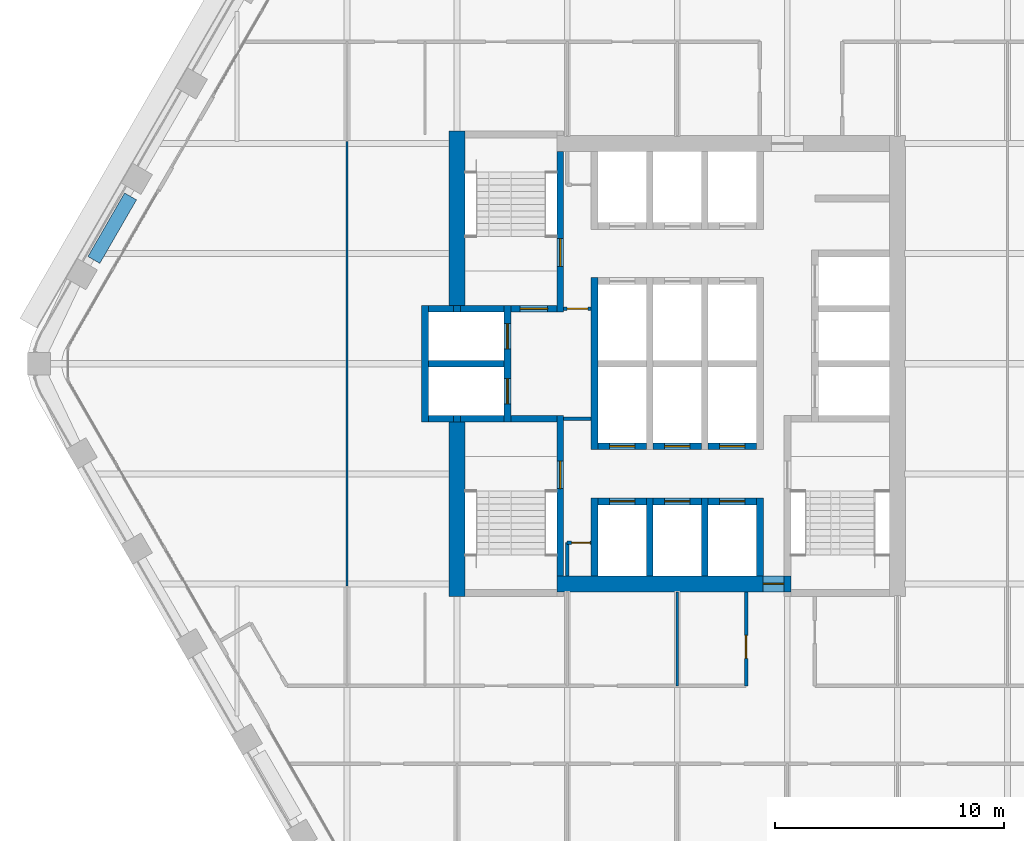
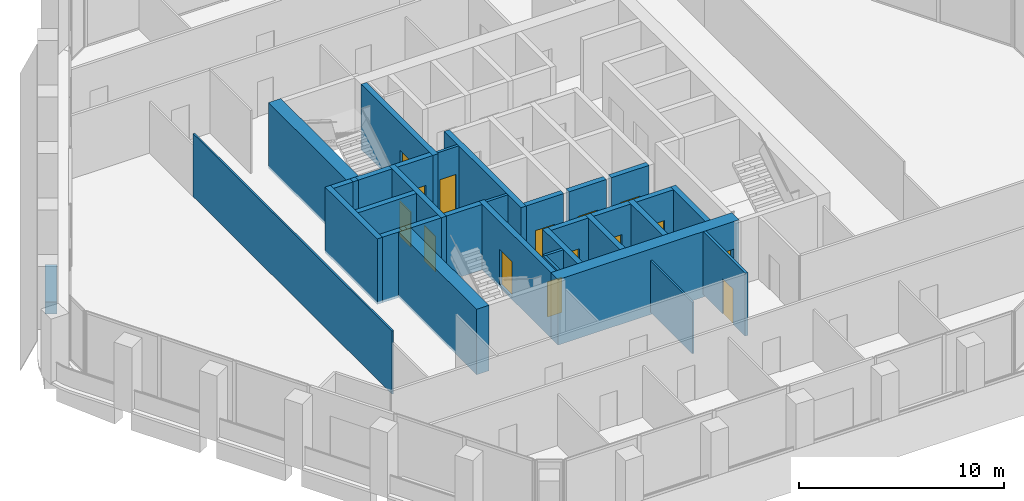
# One storey, part 9 of 15: 35 walls, 15 doors, 15 openings.
"""IFC4 building model written with IfcOpenShell, lengths in metres."""

from ifc_helpers import new_model, si_unit, direction, frame, frame_2d, origin, place, context, subcontext, project, spatial, rectangle, extrude, material, layer, layer_set, type_object, element, fill, save


model = new_model("IFC4")

# Units and contexts
model_context = context("Model", 3, precision=1e-05, world=origin(), true_north=direction((0.0, 1.0)))
body_context = subcontext(model_context, "Body", "Model", "MODEL_VIEW")
ifc_project = project(units=[si_unit("LENGTHUNIT", "METRE"), si_unit("AREAUNIT", "SQUARE_METRE"), si_unit("VOLUMEUNIT", "CUBIC_METRE"), si_unit("PLANEANGLEUNIT", "RADIAN"), si_unit("MASSUNIT", "GRAM", prefix="KILO")], contexts=[model_context])

# Site, building, storey
site_placement = place(None, origin())
site = spatial("IfcSite", under=ifc_project, at=site_placement, CompositionType="ELEMENT")
building_placement = place(site_placement, origin())
building = spatial("IfcBuilding", under=site, at=building_placement, Name="Kolab Exchange Tower", CompositionType="ELEMENT")
storey_placement = place(building_placement, frame((0.0, 0.0, 138.800048828125)))
storey = spatial("IfcBuildingStorey", under=building, at=storey_placement, Name="L27", CompositionType="ELEMENT", Elevation=138.800048828125)

# Wall, opening, door
ifc_material_1 = material(Name="Concrete C60/75", Category="concrete")
ifc_layer_1 = layer(ifc_material_1, 0.699951171875)
ifc_layer_set_1 = layer_set([ifc_layer_1], Name="Concrete C60/75")
wall_type_1 = type_object("IfcWallType", Name="CORE WALL 700 C60/75", PredefinedType="SHEAR", material=ifc_layer_set_1)
wall_1_placement = place(storey_placement, frame((-5.25, -9.60009765625, -0.150146484375), z_axis=(0.0, 0.0, 1.0), x_axis=(1.0, 0.0, 0.0)))
wall_1 = element("IfcWall", 1, at=wall_1_placement, inside=storey, type_object=wall_type_1, Name="wall/L27/core/002", PredefinedType="SHEAR", context=body_context, shape_type="SweptSolid", body=[
    extrude(rectangle(XDim=10.199951171875, YDim=0.699951171875, at=frame_2d((5.10009765625, 0.0))), origin(), (0.0, 0.0, 1.0), 3.900146484375),
])
opening_1_placement = place(wall_1_placement, frame((9.0, 0.0, 0.14990234375)))
opening_1 = element("IfcOpeningElement", 2, at=opening_1_placement, cuts=wall_1, Name="Opening D6-287", PredefinedType="OPENING", context=body_context, shape_type="SweptSolid", body=[
    extrude(rectangle(XDim=0.89990234375, YDim=2.10009765625, at=frame_2d((0.449951171875, 1.050048828125))), frame((0.0, 0.35986328125, 0.0), z_axis=(0.0, -1.0, 0.0), x_axis=(1.0, 0.0, 0.0)), (0.0, 0.0, 1.0), 0.719970703125),
])
ifc_material_2 = material(Name="Steel S235", Category="steel")
door_type_1 = type_object("IfcDoorType", Name="CORE DOOR 900 EI 120", OperationType="SINGLE_SWING_LEFT", PredefinedType="DOOR", material=ifc_material_2)
door_1_placement = place(opening_1_placement, origin())
door_1 = element("IfcDoor", 3, at=door_1_placement, inside=storey, type_object=door_type_1, Name="Core lobby door", OperationType="SINGLE_SWING_LEFT", OverallHeight=2.10009765625, OverallWidth=0.89990234375, PredefinedType="DOOR", context=body_context, shape_type="SweptSolid", body=[
    extrude(rectangle(XDim=0.89990234375, YDim=2.10009765625, at=frame_2d((0.449951171875, 1.050048828125))), frame((0.0, 0.02490234375, 0.0), z_axis=(0.0, -1.0, 0.0), x_axis=(1.0, 0.0, 0.0)), (0.0, 0.0, 1.0), 0.050048828125),
])
fill(opening_1, door_1)

# Walls
for number, where, z_axis, x_axis, name in (
    (4, (-9.60009765625, -10.14990234375, -0.150146484375), (0.0, 0.0, 1.0), (0.0, 1.0, 0.0), "wall/L27/core/034"),
    (5, (-9.60009765625, 2.550048828125, -0.150146484375), (0.0, 0.0, 1.0), (0.0, 1.0, 0.0), "wall/L27/core/037"),
):
    element("IfcWall", number, at=place(storey_placement, frame(where, z_axis=z_axis, x_axis=x_axis)), inside=storey, type_object=wall_type_1, Name=name, PredefinedType="SHEAR", context=body_context, shape_type="SweptSolid", body=[
        extrude(rectangle(XDim=7.599853515625, YDim=0.699951171875, at=frame_2d((3.7998046875, 0.0))), origin(), (0.0, 0.0, 1.0), 3.900146484375),
    ])

# Wall, opening, door
ifc_material_3 = material(Name="Concrete C50/60", Category="concrete")
ifc_layer_2 = layer(ifc_material_3, 0.300048828125)
ifc_layer_set_2 = layer_set([ifc_layer_2], Name="Concrete C50/60")
wall_type_2 = type_object("IfcWallType", Name="LIFT SHAFT WALL 300 C50/60", PredefinedType="STANDARD", material=ifc_layer_set_2)
wall_2_placement = place(storey_placement, frame((-3.449951171875, -6.0, -0.150146484375), z_axis=(0.0, 0.0, 1.0), x_axis=(1.0, 0.0, 0.0)))
wall_2 = element("IfcWall", 6, at=wall_2_placement, inside=storey, type_object=wall_type_2, Name="wall/L27/core/003", PredefinedType="STANDARD", context=body_context, shape_type="SweptSolid", body=[
    extrude(rectangle(XDim=2.099853515625, YDim=0.300048828125, at=frame_2d((1.0498046875, 0.0))), origin(), (0.0, 0.0, 1.0), 3.900146484375),
])
opening_2_placement = place(wall_2_placement, frame((0.5, 0.0, 0.14990234375)))
opening_2 = element("IfcOpeningElement", 7, at=opening_2_placement, cuts=wall_2, Name="Opening LD1-110", PredefinedType="OPENING", context=body_context, shape_type="SweptSolid", body=[
    extrude(rectangle(XDim=1.10009765625, YDim=2.10009765625, at=frame_2d((0.550048828125, 1.050048828125))), frame((0.0, 0.16015625, 0.0), z_axis=(0.0, -1.0, 0.0), x_axis=(1.0, 0.0, 0.0)), (0.0, 0.0, 1.0), 0.320068359375),
])
ifc_material_4 = material(Name="Stainless steel 316", Category="steel")
door_type_2 = type_object("IfcDoorType", Name="LANDING DOOR 1100 PASSENGER", OperationType="DOUBLE_DOOR_SLIDING", PredefinedType="DOOR", material=ifc_material_4)
door_2_placement = place(opening_2_placement, origin())
door_2 = element("IfcDoor", 8, at=door_2_placement, inside=storey, type_object=door_type_2, Name="Landing door HR10", OperationType="DOUBLE_DOOR_SLIDING", OverallHeight=2.10009765625, OverallWidth=1.10009765625, PredefinedType="DOOR", context=body_context, shape_type="SweptSolid", body=[
    extrude(rectangle(XDim=1.10009765625, YDim=2.10009765625, at=frame_2d((0.550048828125, 1.050048828125))), frame((0.0, 0.02490234375, 0.0), z_axis=(0.0, -1.0, 0.0), x_axis=(1.0, 0.0, 0.0)), (0.0, 0.0, 1.0), 0.050048828125),
])
fill(opening_2, door_2)

wall_3_placement = place(storey_placement, frame((-1.050048828125, -6.0, -0.150146484375), z_axis=(0.0, 0.0, 1.0), x_axis=(1.0, 0.0, 0.0)))
wall_3 = element("IfcWall", 9, at=wall_3_placement, inside=storey, type_object=wall_type_2, Name="wall/L27/core/004", PredefinedType="STANDARD", context=body_context, shape_type="SweptSolid", body=[
    extrude(rectangle(XDim=2.10009765625, YDim=0.300048828125, at=frame_2d((1.050048828125, 0.0))), origin(), (0.0, 0.0, 1.0), 3.900146484375),
])
opening_3_placement = place(wall_3_placement, frame((0.5, 0.0, 0.14990234375)))
opening_3 = element("IfcOpeningElement", 10, at=opening_3_placement, cuts=wall_3, Name="Opening LD1-111", PredefinedType="OPENING", context=body_context, shape_type="SweptSolid", body=[
    extrude(rectangle(XDim=1.10009765625, YDim=2.10009765625, at=frame_2d((0.550048828125, 1.050048828125))), frame((0.0, 0.16015625, 0.0), z_axis=(0.0, -1.0, 0.0), x_axis=(1.0, 0.0, 0.0)), (0.0, 0.0, 1.0), 0.320068359375),
])
door_3_placement = place(opening_3_placement, origin())
door_3 = element("IfcDoor", 11, at=door_3_placement, inside=storey, type_object=door_type_2, Name="Landing door HR11", OperationType="DOUBLE_DOOR_SLIDING", OverallHeight=2.10009765625, OverallWidth=1.10009765625, PredefinedType="DOOR", context=body_context, shape_type="SweptSolid", body=[
    extrude(rectangle(XDim=1.10009765625, YDim=2.10009765625, at=frame_2d((0.550048828125, 1.050048828125))), frame((0.0, 0.02490234375, 0.0), z_axis=(0.0, -1.0, 0.0), x_axis=(1.0, 0.0, 0.0)), (0.0, 0.0, 1.0), 0.050048828125),
])
fill(opening_3, door_3)

wall_4_placement = place(storey_placement, frame((1.35009765625, -6.0, -0.150146484375), z_axis=(0.0, 0.0, 1.0), x_axis=(1.0, 0.0, 0.0)))
wall_4 = element("IfcWall", 12, at=wall_4_placement, inside=storey, type_object=wall_type_2, Name="wall/L27/core/005", PredefinedType="STANDARD", context=body_context, shape_type="SweptSolid", body=[
    extrude(rectangle(XDim=2.099853515625, YDim=0.300048828125, at=frame_2d((1.0498046875, 0.0))), origin(), (0.0, 0.0, 1.0), 3.900146484375),
])
opening_4_placement = place(wall_4_placement, frame((0.5, 0.0, 0.14990234375)))
opening_4 = element("IfcOpeningElement", 13, at=opening_4_placement, cuts=wall_4, Name="Opening LD1-112", PredefinedType="OPENING", context=body_context, shape_type="SweptSolid", body=[
    extrude(rectangle(XDim=1.10009765625, YDim=2.10009765625, at=frame_2d((0.550048828125, 1.050048828125))), frame((0.0, 0.16015625, 0.0), z_axis=(0.0, -1.0, 0.0), x_axis=(1.0, 0.0, 0.0)), (0.0, 0.0, 1.0), 0.320068359375),
])
door_4_placement = place(opening_4_placement, origin())
door_4 = element("IfcDoor", 14, at=door_4_placement, inside=storey, type_object=door_type_2, Name="Landing door HR12", OperationType="DOUBLE_DOOR_SLIDING", OverallHeight=2.10009765625, OverallWidth=1.10009765625, PredefinedType="DOOR", context=body_context, shape_type="SweptSolid", body=[
    extrude(rectangle(XDim=1.10009765625, YDim=2.10009765625, at=frame_2d((0.550048828125, 1.050048828125))), frame((0.0, 0.02490234375, 0.0), z_axis=(0.0, -1.0, 0.0), x_axis=(1.0, 0.0, 0.0)), (0.0, 0.0, 1.0), 0.050048828125),
])
fill(opening_4, door_4)

wall_5_placement = place(storey_placement, frame((-3.449951171875, -3.60009765625, -0.150146484375), z_axis=(0.0, 0.0, 1.0), x_axis=(1.0, 0.0, 0.0)))
wall_5 = element("IfcWall", 15, at=wall_5_placement, inside=storey, type_object=wall_type_2, Name="wall/L27/core/006", PredefinedType="STANDARD", context=body_context, shape_type="SweptSolid", body=[
    extrude(rectangle(XDim=2.099853515625, YDim=0.300048828125, at=frame_2d((1.0498046875, 0.0))), origin(), (0.0, 0.0, 1.0), 3.900146484375),
])
opening_5_placement = place(wall_5_placement, frame((0.5, 0.0, 0.14990234375)))
opening_5 = element("IfcOpeningElement", 16, at=opening_5_placement, cuts=wall_5, Name="Opening LD1-118", PredefinedType="OPENING", context=body_context, shape_type="SweptSolid", body=[
    extrude(rectangle(XDim=1.10009765625, YDim=2.10009765625, at=frame_2d((0.550048828125, 1.050048828125))), frame((0.0, 0.16015625, 0.0), z_axis=(0.0, -1.0, 0.0), x_axis=(1.0, 0.0, 0.0)), (0.0, 0.0, 1.0), 0.320068359375),
])
door_5_placement = place(opening_5_placement, origin())
door_5 = element("IfcDoor", 17, at=door_5_placement, inside=storey, type_object=door_type_2, Name="Landing door HR7", OperationType="DOUBLE_DOOR_SLIDING", OverallHeight=2.10009765625, OverallWidth=1.10009765625, PredefinedType="DOOR", context=body_context, shape_type="SweptSolid", body=[
    extrude(rectangle(XDim=1.10009765625, YDim=2.10009765625, at=frame_2d((0.550048828125, 1.050048828125))), frame((0.0, 0.02490234375, 0.0), z_axis=(0.0, -1.0, 0.0), x_axis=(1.0, 0.0, 0.0)), (0.0, 0.0, 1.0), 0.050048828125),
])
fill(opening_5, door_5)

wall_6_placement = place(storey_placement, frame((-1.050048828125, -3.60009765625, -0.150146484375), z_axis=(0.0, 0.0, 1.0), x_axis=(1.0, 0.0, 0.0)))
wall_6 = element("IfcWall", 18, at=wall_6_placement, inside=storey, type_object=wall_type_2, Name="wall/L27/core/007", PredefinedType="STANDARD", context=body_context, shape_type="SweptSolid", body=[
    extrude(rectangle(XDim=2.10009765625, YDim=0.300048828125, at=frame_2d((1.050048828125, 0.0))), origin(), (0.0, 0.0, 1.0), 3.900146484375),
])
opening_6_placement = place(wall_6_placement, frame((0.5, 0.0, 0.14990234375)))
opening_6 = element("IfcOpeningElement", 19, at=opening_6_placement, cuts=wall_6, Name="Opening LD1-119", PredefinedType="OPENING", context=body_context, shape_type="SweptSolid", body=[
    extrude(rectangle(XDim=1.10009765625, YDim=2.10009765625, at=frame_2d((0.550048828125, 1.050048828125))), frame((0.0, 0.16015625, 0.0), z_axis=(0.0, -1.0, 0.0), x_axis=(1.0, 0.0, 0.0)), (0.0, 0.0, 1.0), 0.320068359375),
])
door_6_placement = place(opening_6_placement, origin())
door_6 = element("IfcDoor", 20, at=door_6_placement, inside=storey, type_object=door_type_2, Name="Landing door HR8", OperationType="DOUBLE_DOOR_SLIDING", OverallHeight=2.10009765625, OverallWidth=1.10009765625, PredefinedType="DOOR", context=body_context, shape_type="SweptSolid", body=[
    extrude(rectangle(XDim=1.10009765625, YDim=2.10009765625, at=frame_2d((0.550048828125, 1.050048828125))), frame((0.0, 0.02490234375, 0.0), z_axis=(0.0, -1.0, 0.0), x_axis=(1.0, 0.0, 0.0)), (0.0, 0.0, 1.0), 0.050048828125),
])
fill(opening_6, door_6)

wall_7_placement = place(storey_placement, frame((1.35009765625, -3.60009765625, -0.150146484375), z_axis=(0.0, 0.0, 1.0), x_axis=(1.0, 0.0, 0.0)))
wall_7 = element("IfcWall", 21, at=wall_7_placement, inside=storey, type_object=wall_type_2, Name="wall/L27/core/008", PredefinedType="STANDARD", context=body_context, shape_type="SweptSolid", body=[
    extrude(rectangle(XDim=2.099853515625, YDim=0.300048828125, at=frame_2d((1.0498046875, 0.0))), origin(), (0.0, 0.0, 1.0), 3.900146484375),
])
opening_7_placement = place(wall_7_placement, frame((0.5, 0.0, 0.14990234375)))
opening_7 = element("IfcOpeningElement", 22, at=opening_7_placement, cuts=wall_7, Name="Opening LD1-120", PredefinedType="OPENING", context=body_context, shape_type="SweptSolid", body=[
    extrude(rectangle(XDim=1.10009765625, YDim=2.10009765625, at=frame_2d((0.550048828125, 1.050048828125))), frame((0.0, 0.16015625, 0.0), z_axis=(0.0, -1.0, 0.0), x_axis=(1.0, 0.0, 0.0)), (0.0, 0.0, 1.0), 0.320068359375),
])
door_7_placement = place(opening_7_placement, origin())
door_7 = element("IfcDoor", 23, at=door_7_placement, inside=storey, type_object=door_type_2, Name="Landing door HR9", OperationType="DOUBLE_DOOR_SLIDING", OverallHeight=2.10009765625, OverallWidth=1.10009765625, PredefinedType="DOOR", context=body_context, shape_type="SweptSolid", body=[
    extrude(rectangle(XDim=1.10009765625, YDim=2.10009765625, at=frame_2d((0.550048828125, 1.050048828125))), frame((0.0, 0.02490234375, 0.0), z_axis=(0.0, -1.0, 0.0), x_axis=(1.0, 0.0, 0.0)), (0.0, 0.0, 1.0), 0.050048828125),
])
fill(opening_7, door_7)

# Walls
wall_8_placement = place(storey_placement, frame((-10.85009765625, -2.39990234375, -0.150146484375), z_axis=(0.0, 0.0, 1.0), x_axis=(1.0, 0.0, 0.0)))
element("IfcWall", 24, at=wall_8_placement, inside=storey, type_object=wall_type_2, Name="wall/L27/core/009", PredefinedType="STANDARD", context=body_context, shape_type="SweptSolid", body=[
    extrude(rectangle(XDim=1.10009765625, YDim=0.300048828125, at=frame_2d((0.550048828125, 0.0))), origin(), (0.0, 0.0, 1.0), 3.900146484375),
])
wall_9_placement = place(storey_placement, frame((-10.85009765625, 0.0, -0.150146484375), z_axis=(0.0, 0.0, 1.0), x_axis=(1.0, 0.0, 0.0)))
element("IfcWall", 25, at=wall_9_placement, inside=storey, type_object=wall_type_2, Name="wall/L27/core/014", PredefinedType="STANDARD", context=body_context, shape_type="SweptSolid", body=[
    extrude(rectangle(XDim=3.300048828125, YDim=0.300048828125, at=frame_2d((1.64990234375, 0.0))), origin(), (0.0, 0.0, 1.0), 3.900146484375),
])
wall_10_placement = place(storey_placement, frame((-10.85009765625, 2.39990234375, -0.150146484375), z_axis=(0.0, 0.0, 1.0), x_axis=(1.0, 0.0, 0.0)))
element("IfcWall", 26, at=wall_10_placement, inside=storey, type_object=wall_type_2, Name="wall/L27/core/019", PredefinedType="STANDARD", context=body_context, shape_type="SweptSolid", body=[
    extrude(rectangle(XDim=1.10009765625, YDim=0.300048828125, at=frame_2d((0.550048828125, 0.0))), origin(), (0.0, 0.0, 1.0), 3.900146484375),
])
wall_11_placement = place(storey_placement, frame((-11.0, -2.550048828125, -0.150146484375), z_axis=(0.0, 0.0, 1.0), x_axis=(0.0, 1.0, 0.0)))
element("IfcWall", 27, at=wall_11_placement, inside=storey, type_object=wall_type_2, Name="wall/L27/core/033", PredefinedType="STANDARD", context=body_context, shape_type="SweptSolid", body=[
    extrude(rectangle(XDim=5.10009765625, YDim=0.300048828125, at=frame_2d((2.550048828125, 0.0))), origin(), (0.0, 0.0, 1.0), 3.900146484375),
])

# Wall, openings, doors
wall_12_placement = place(storey_placement, frame((-7.39990234375, -2.550048828125, -0.150146484375), z_axis=(0.0, 0.0, 1.0), x_axis=(0.0, 1.0, 0.0)))
wall_12 = element("IfcWall", 28, at=wall_12_placement, inside=storey, type_object=wall_type_2, Name="wall/L27/core/038", PredefinedType="STANDARD", context=body_context, shape_type="SweptSolid", body=[
    extrude(rectangle(XDim=5.10009765625, YDim=0.300048828125, at=frame_2d((2.550048828125, 0.0))), origin(), (0.0, 0.0, 1.0), 3.900146484375),
])
opening_8_placement = place(wall_12_placement, frame((0.800048828125, 0.0, 0.14990234375)))
opening_8 = element("IfcOpeningElement", 29, at=opening_8_placement, cuts=wall_12, Name="Opening LD2-025", PredefinedType="OPENING", context=body_context, shape_type="SweptSolid", body=[
    extrude(rectangle(XDim=1.10009765625, YDim=2.10009765625, at=frame_2d((0.550048828125, 1.050048828125))), frame((0.0, 0.16015625, 0.0), z_axis=(0.0, -1.0, 0.0), x_axis=(1.0, 0.0, 0.0)), (0.0, 0.0, 1.0), 0.320068359375),
])
opening_9_placement = place(wall_12_placement, frame((3.199951171875, 0.0, 0.14990234375)))
opening_9 = element("IfcOpeningElement", 30, at=opening_9_placement, cuts=wall_12, Name="Opening LD2-026", PredefinedType="OPENING", context=body_context, shape_type="SweptSolid", body=[
    extrude(rectangle(XDim=1.10009765625, YDim=2.10009765625, at=frame_2d((0.550048828125, 1.050048828125))), frame((0.0, 0.16015625, 0.0), z_axis=(0.0, -1.0, 0.0), x_axis=(1.0, 0.0, 0.0)), (0.0, 0.0, 1.0), 0.320068359375),
])
door_type_3 = type_object("IfcDoorType", Name="LANDING DOOR 1100 FIREFIGHTING", OperationType="DOUBLE_DOOR_SLIDING", PredefinedType="DOOR", material=ifc_material_4)
door_8_placement = place(opening_8_placement, origin())
door_8 = element("IfcDoor", 31, at=door_8_placement, inside=storey, type_object=door_type_3, Name="Landing door FF1", OperationType="DOUBLE_DOOR_SLIDING", OverallHeight=2.10009765625, OverallWidth=1.10009765625, PredefinedType="DOOR", context=body_context, shape_type="SweptSolid", body=[
    extrude(rectangle(XDim=1.10009765625, YDim=2.10009765625, at=frame_2d((0.550048828125, 1.050048828125))), frame((0.0, 0.02490234375, 0.0), z_axis=(0.0, -1.0, 0.0), x_axis=(1.0, 0.0, 0.0)), (0.0, 0.0, 1.0), 0.050048828125),
])
fill(opening_8, door_8)
door_9_placement = place(opening_9_placement, origin())
door_9 = element("IfcDoor", 32, at=door_9_placement, inside=storey, type_object=door_type_3, Name="Landing door FF2", OperationType="DOUBLE_DOOR_SLIDING", OverallHeight=2.10009765625, OverallWidth=1.10009765625, PredefinedType="DOOR", context=body_context, shape_type="SweptSolid", body=[
    extrude(rectangle(XDim=1.10009765625, YDim=2.10009765625, at=frame_2d((0.550048828125, 1.050048828125))), frame((0.0, 0.02490234375, 0.0), z_axis=(0.0, -1.0, 0.0), x_axis=(1.0, 0.0, 0.0)), (0.0, 0.0, 1.0), 0.050048828125),
])
fill(opening_9, door_9)

# Walls
wall_13_placement = place(storey_placement, frame((-3.60009765625, -9.25, -0.150146484375), z_axis=(0.0, 0.0, 1.0), x_axis=(0.0, 1.0, 0.0)))
element("IfcWall", 33, at=wall_13_placement, inside=storey, type_object=wall_type_2, Name="wall/L27/core/043", PredefinedType="STANDARD", context=body_context, shape_type="SweptSolid", body=[
    extrude(rectangle(XDim=3.39990234375, YDim=0.300048828125, at=frame_2d((1.699951171875, 0.0))), origin(), (0.0, 0.0, 1.0), 3.900146484375),
])
wall_14_placement = place(storey_placement, frame((-3.60009765625, -3.75, -0.150146484375), z_axis=(0.0, 0.0, 1.0), x_axis=(0.0, 1.0, 0.0)))
element("IfcWall", 34, at=wall_14_placement, inside=storey, type_object=wall_type_2, Name="wall/L27/core/044", PredefinedType="STANDARD", context=body_context, shape_type="SweptSolid", body=[
    extrude(rectangle(XDim=7.5, YDim=0.300048828125, at=frame_2d((3.75, 0.0))), origin(), (0.0, 0.0, 1.0), 3.900146484375),
])
for number, where, z_axis, x_axis, name in (
    (35, (-1.199951171875, -9.25, -0.150146484375), (0.0, 0.0, 1.0), (0.0, 1.0, 0.0), "wall/L27/core/046"),
    (36, (1.199951171875, -9.25, -0.150146484375), (0.0, 0.0, 1.0), (0.0, 1.0, 0.0), "wall/L27/core/049"),
    (37, (3.60009765625, -9.25, -0.150146484375), (0.0, 0.0, 1.0), (0.0, 1.0, 0.0), "wall/L27/core/052"),
):
    element("IfcWall", number, at=place(storey_placement, frame(where, z_axis=z_axis, x_axis=x_axis)), inside=storey, type_object=wall_type_2, Name=name, PredefinedType="STANDARD", context=body_context, shape_type="SweptSolid", body=[
        extrude(rectangle(XDim=3.39990234375, YDim=0.300048828125, at=frame_2d((1.699951171875, 0.0))), origin(), (0.0, 0.0, 1.0), 3.900146484375),
    ])
ifc_material_5 = material(Name="Gypsum board", Category="gypsum")
ifc_layer_3 = layer(ifc_material_5, 0.10009765625)
ifc_layer_set_3 = layer_set([ifc_layer_3], Name="Gypsum board")
wall_type_3 = type_object("IfcWallType", Name="PARTITION 100", PredefinedType="PARTITIONING", material=ifc_layer_set_3)
wall_15_placement = place(storey_placement, frame((0.0, -14.04150390625, 0.0), z_axis=(0.0, 0.0, 1.0), x_axis=(0.0, 1.0, 0.0)))
element("IfcWall", 38, at=wall_15_placement, inside=storey, type_object=wall_type_3, Name="Partition 011", PredefinedType="PARTITIONING", context=body_context, shape_type="SweptSolid", body=[
    extrude(rectangle(XDim=4.091552734375, YDim=0.10009765625, at=frame_2d((2.0458984375, 0.0))), origin(), (0.0, 0.0, 1.0), 3.06591796875),
])
wall_16_placement = place(storey_placement, frame((-14.39990234375, -9.693603515625, 0.0), z_axis=(0.0, 0.0, 1.0), x_axis=(0.0, 1.0, 0.0)))
element("IfcWall", 39, at=wall_16_placement, inside=storey, type_object=wall_type_3, Name="Partition 023", PredefinedType="PARTITIONING", context=body_context, shape_type="SweptSolid", body=[
    extrude(rectangle(XDim=19.38720703125, YDim=0.10009765625, at=frame_2d((9.693603515625, 0.0))), origin(), (0.0, 0.0, 1.0), 3.75),
])

# Wall, opening, door
ifc_layer_4 = layer(ifc_material_5, 0.14990234375)
ifc_layer_set_4 = layer_set([ifc_layer_4], Name="Gypsum board")
wall_type_4 = type_object("IfcWallType", Name="PARTITION 150 FIRE-RATED", PredefinedType="PARTITIONING", material=ifc_layer_set_4)
wall_17_placement = place(storey_placement, frame((3.0, -14.04150390625, 0.0), z_axis=(0.0, 0.0, 1.0), x_axis=(0.0, 1.0, 0.0)))
wall_17 = element("IfcWall", 40, at=wall_17_placement, inside=storey, type_object=wall_type_4, Name="Partition 009", PredefinedType="PARTITIONING", context=body_context, shape_type="SweptSolid", body=[
    extrude(rectangle(XDim=4.091552734375, YDim=0.14990234375, at=frame_2d((2.0458984375, 0.0))), origin(), (0.0, 0.0, 1.0), 3.75),
])
opening_10_placement = place(wall_17_placement, frame((1.199462890625, 0.0, 0.0)))
opening_10 = element("IfcOpeningElement", 41, at=opening_10_placement, cuts=wall_17, Name="Opening D1-405", PredefinedType="OPENING", context=body_context, shape_type="SweptSolid", body=[
    extrude(rectangle(XDim=1.0, YDim=2.10009765625, at=frame_2d((0.5, 1.050048828125))), frame((0.0, 0.0849609375, 0.0), z_axis=(0.0, -1.0, 0.0), x_axis=(1.0, 0.0, 0.0)), (0.0, 0.0, 1.0), 0.169921875),
])
door_type_4 = type_object("IfcDoorType", Name="FLUSH DOOR 1000 FD60", OperationType="SINGLE_SWING_LEFT", PredefinedType="DOOR", material=ifc_material_2)
door_10_placement = place(opening_10_placement, origin())
door_10 = element("IfcDoor", 42, at=door_10_placement, inside=storey, type_object=door_type_4, Name="Door L27-038", OperationType="SINGLE_SWING_LEFT", OverallHeight=2.10009765625, OverallWidth=1.0, PredefinedType="DOOR", context=body_context, shape_type="SweptSolid", body=[
    extrude(rectangle(XDim=1.0, YDim=2.10009765625, at=frame_2d((0.5, 1.050048828125))), frame((0.0, 0.02490234375, 0.0), z_axis=(0.0, -1.0, 0.0), x_axis=(1.0, 0.0, 0.0)), (0.0, 0.0, 1.0), 0.050048828125),
])
fill(opening_10, door_10)

# Wall
wall_18_placement = place(storey_placement, frame((-4.800048828125, -9.25, 0.0), z_axis=(0.0, 0.0, 1.0), x_axis=(0.0, 1.0, 0.0)))
element("IfcWall", 43, at=wall_18_placement, inside=storey, type_object=wall_type_4, Name="Partition 017", PredefinedType="PARTITIONING", context=body_context, shape_type="SweptSolid", body=[
    extrude(rectangle(XDim=1.449951171875, YDim=0.14990234375, at=frame_2d((0.72509765625, 0.0))), origin(), (0.0, 0.0, 1.0), 3.75),
])

# Wall, opening, door
wall_19_placement = place(storey_placement, frame((-4.800048828125, -7.800048828125, 0.0), z_axis=(0.0, 0.0, 1.0), x_axis=(1.0, 0.0, 0.0)))
wall_19 = element("IfcWall", 44, at=wall_19_placement, inside=storey, type_object=wall_type_4, Name="Partition 031", PredefinedType="PARTITIONING", context=body_context, shape_type="SweptSolid", body=[
    extrude(rectangle(XDim=1.050048828125, YDim=0.14990234375, at=frame_2d((0.52490234375, 0.0))), origin(), (0.0, 0.0, 1.0), 3.75),
])
opening_11_placement = place(wall_19_placement, frame((0.199951171875, 0.0, 0.0)))
opening_11 = element("IfcOpeningElement", 45, at=opening_11_placement, cuts=wall_19, Name="Opening D7-031", PredefinedType="OPENING", context=body_context, shape_type="SweptSolid", body=[
    extrude(rectangle(XDim=0.800048828125, YDim=2.10009765625, at=frame_2d((0.39990234375, 1.050048828125))), frame((0.0, 0.0849609375, 0.0), z_axis=(0.0, -1.0, 0.0), x_axis=(1.0, 0.0, 0.0)), (0.0, 0.0, 1.0), 0.169921875),
])
door_type_5 = type_object("IfcDoorType", Name="FLUSH DOOR 800 FD60", OperationType="SINGLE_SWING_LEFT", PredefinedType="DOOR", material=ifc_material_2)
door_11_placement = place(opening_11_placement, frame((0.800048828125, 0.0, 0.0), z_axis=(0.0, 0.0, 1.0), x_axis=(-1.0, 0.0, 0.0)))
door_11 = element("IfcDoor", 46, at=door_11_placement, inside=storey, type_object=door_type_5, Name="Door L27-024", OperationType="SINGLE_SWING_RIGHT", OverallHeight=2.10009765625, OverallWidth=0.800048828125, PredefinedType="DOOR", context=body_context, shape_type="SweptSolid", body=[
    extrude(rectangle(XDim=0.800048828125, YDim=2.10009765625, at=frame_2d((0.39990234375, 1.050048828125))), frame((0.0, 0.02490234375, 0.0), z_axis=(0.0, -1.0, 0.0), x_axis=(1.0, 0.0, 0.0)), (0.0, 0.0, 1.0), 0.050048828125),
])
fill(opening_11, door_11)

wall_20_placement = place(storey_placement, frame((-4.949951171875, 2.39990234375, 0.0), z_axis=(0.0, 0.0, 1.0), x_axis=(1.0, 0.0, 0.0)))
wall_20 = element("IfcWall", 47, at=wall_20_placement, inside=storey, type_object=wall_type_4, Name="Fire partition", PredefinedType="PARTITIONING", context=body_context, shape_type="SweptSolid", body=[
    extrude(rectangle(XDim=1.199951171875, YDim=0.14990234375, at=frame_2d((0.60009765625, 0.0))), origin(), (0.0, 0.0, 1.0), 3.75),
])
opening_12_placement = place(wall_20_placement, frame((0.14990234375, 0.0, 0.0)))
opening_12 = element("IfcOpeningElement", 48, at=opening_12_placement, cuts=wall_20, Name="Opening D6-288", PredefinedType="OPENING", context=body_context, shape_type="SweptSolid", body=[
    extrude(rectangle(XDim=0.89990234375, YDim=2.10009765625, at=frame_2d((0.449951171875, 1.050048828125))), frame((0.0, 0.0849609375, 0.0), z_axis=(0.0, -1.0, 0.0), x_axis=(1.0, 0.0, 0.0)), (0.0, 0.0, 1.0), 0.169921875),
])
door_12_placement = place(opening_12_placement, frame((0.89990234375, 0.0, 0.0), z_axis=(0.0, 0.0, 1.0), x_axis=(-1.0, 0.0, 0.0)))
door_12 = element("IfcDoor", 49, at=door_12_placement, inside=storey, type_object=door_type_1, Name="Firefighting lobby door", OperationType="SINGLE_SWING_RIGHT", OverallHeight=2.10009765625, OverallWidth=0.89990234375, PredefinedType="DOOR", context=body_context, shape_type="SweptSolid", body=[
    extrude(rectangle(XDim=0.89990234375, YDim=2.10009765625, at=frame_2d((0.449951171875, 1.050048828125))), frame((0.0, 0.02490234375, 0.0), z_axis=(0.0, -1.0, 0.0), x_axis=(1.0, 0.0, 0.0)), (0.0, 0.0, 1.0), 0.050048828125),
])
fill(opening_12, door_12)

# Walls
wall_21_placement = place(storey_placement, frame((-4.949951171875, -2.39990234375, 0.0), z_axis=(0.0, 0.0, 1.0), x_axis=(1.0, 0.0, 0.0)))
element("IfcWall", 50, at=wall_21_placement, inside=storey, type_object=wall_type_4, Name="Fire partition", PredefinedType="PARTITIONING", context=body_context, shape_type="SweptSolid", body=[
    extrude(rectangle(XDim=1.199951171875, YDim=0.14990234375, at=frame_2d((0.60009765625, 0.0))), origin(), (0.0, 0.0, 1.0), 3.75),
])
ifc_material_6 = material(Name="Granite facing", Category="masonry")
ifc_layer_5 = layer(ifc_material_6, 0.0400390625)
ifc_material_7 = material(Name="Concrete C40/50 precast", Category="concrete")
ifc_layer_6 = layer(ifc_material_7, 0.56005859375)
ifc_layer_set_5 = layer_set([ifc_layer_5, ifc_layer_6], Name="Concrete C40/50 precast")
wall_type_5 = type_object("IfcWallType", Name="PLANTER BOX 600 X 700 SOIL DEPTH 550", PredefinedType="USERDEFINED", material=ifc_layer_set_5)
wall_22_placement = place(storey_placement, frame((-25.43701171875, 4.524658203125, 0.0), z_axis=(0.0, 0.0, 1.0), x_axis=(0.499938187974, 0.866061088033, 0.0)))
element("IfcWall", 51, at=wall_22_placement, inside=storey, type_object=wall_type_5, Name="Planter", ObjectType="PLANTER", PredefinedType="USERDEFINED", context=body_context, shape_type="SweptSolid", body=[
    extrude(rectangle(XDim=3.2001953125, YDim=0.60009765625, at=frame_2d((1.60009765625, 0.0))), origin(), (0.0, 0.0, 1.0), 0.699951171875),
])
ifc_layer_7 = layer(ifc_material_3, 0.300048828125)
ifc_layer_set_6 = layer_set([ifc_layer_7], Name="Concrete C50/60")
wall_type_6 = type_object("IfcWallType", Name="STAIR ENCLOSURE WALL 300 C50/60", PredefinedType="STANDARD", material=ifc_layer_set_6)
wall_23_placement = place(storey_placement, frame((-9.449951171875, -2.39990234375, -0.150146484375), z_axis=(0.0, 0.0, 1.0), x_axis=(1.0, 0.0, 0.0)))
element("IfcWall", 52, at=wall_23_placement, inside=storey, type_object=wall_type_6, Name="wall/L27/core/010", PredefinedType="STANDARD", context=body_context, shape_type="SweptSolid", body=[
    extrude(rectangle(XDim=1.89990234375, YDim=0.300048828125, at=frame_2d((0.949951171875, 0.0))), origin(), (0.0, 0.0, 1.0), 3.900146484375),
])
wall_24_placement = place(storey_placement, frame((-7.25, -2.39990234375, -0.150146484375), z_axis=(0.0, 0.0, 1.0), x_axis=(1.0, 0.0, 0.0)))
element("IfcWall", 53, at=wall_24_placement, inside=storey, type_object=wall_type_6, Name="wall/L27/core/011", PredefinedType="STANDARD", context=body_context, shape_type="SweptSolid", body=[
    extrude(rectangle(XDim=2.0, YDim=0.300048828125, at=frame_2d((1.0, 0.0))), origin(), (0.0, 0.0, 1.0), 3.900146484375),
])
wall_25_placement = place(storey_placement, frame((-9.449951171875, 2.39990234375, -0.150146484375), z_axis=(0.0, 0.0, 1.0), x_axis=(1.0, 0.0, 0.0)))
element("IfcWall", 54, at=wall_25_placement, inside=storey, type_object=wall_type_6, Name="wall/L27/core/020", PredefinedType="STANDARD", context=body_context, shape_type="SweptSolid", body=[
    extrude(rectangle(XDim=1.89990234375, YDim=0.300048828125, at=frame_2d((0.949951171875, 0.0))), origin(), (0.0, 0.0, 1.0), 3.900146484375),
])

# Wall, opening, door
wall_26_placement = place(storey_placement, frame((-7.25, 2.39990234375, -0.150146484375), z_axis=(0.0, 0.0, 1.0), x_axis=(1.0, 0.0, 0.0)))
wall_26 = element("IfcWall", 55, at=wall_26_placement, inside=storey, type_object=wall_type_6, Name="wall/L27/core/021", PredefinedType="STANDARD", context=body_context, shape_type="SweptSolid", body=[
    extrude(rectangle(XDim=2.0, YDim=0.300048828125, at=frame_2d((1.0, 0.0))), origin(), (0.0, 0.0, 1.0), 3.900146484375),
])
opening_13_placement = place(wall_26_placement, frame((0.39990234375, 0.0, 0.14990234375)))
opening_13 = element("IfcOpeningElement", 56, at=opening_13_placement, cuts=wall_26, Name="Opening D4-065", PredefinedType="OPENING", context=body_context, shape_type="SweptSolid", body=[
    extrude(rectangle(XDim=1.199951171875, YDim=2.10009765625, at=frame_2d((0.60009765625, 1.050048828125))), frame((0.0, 0.16015625, 0.0), z_axis=(0.0, -1.0, 0.0), x_axis=(1.0, 0.0, 0.0)), (0.0, 0.0, 1.0), 0.320068359375),
])
door_type_6 = type_object("IfcDoorType", Name="STAIR DOOR 1200 EI 120", OperationType="SINGLE_SWING_LEFT", PredefinedType="DOOR", material=ifc_material_2)
door_13_placement = place(opening_13_placement, origin())
door_13 = element("IfcDoor", 57, at=door_13_placement, inside=storey, type_object=door_type_6, Name="Stair 1 door", OperationType="SINGLE_SWING_RIGHT", OverallHeight=2.10009765625, OverallWidth=1.199951171875, PredefinedType="DOOR", context=body_context, shape_type="SweptSolid", body=[
    extrude(rectangle(XDim=1.199951171875, YDim=2.10009765625, at=frame_2d((0.60009765625, 1.050048828125))), frame((0.0, 0.02490234375, 0.0), z_axis=(0.0, -1.0, 0.0), x_axis=(1.0, 0.0, 0.0)), (0.0, 0.0, 1.0), 0.050048828125),
])
fill(opening_13, door_13)

# Walls
for number, where, z_axis, x_axis, name in (
    (58, (-9.60009765625, -2.550048828125, -0.150146484375), (0.0, 0.0, 1.0), (0.0, 1.0, 0.0), "wall/L27/core/035"),
    (59, (-9.60009765625, 2.25, -0.150146484375), (0.0, 0.0, 1.0), (0.0, 1.0, 0.0), "wall/L27/core/036"),
):
    element("IfcWall", number, at=place(storey_placement, frame(where, z_axis=z_axis, x_axis=x_axis)), inside=storey, type_object=wall_type_6, Name=name, PredefinedType="STANDARD", context=body_context, shape_type="SweptSolid", body=[
        extrude(rectangle(XDim=0.300048828125, YDim=0.300048828125, at=frame_2d((0.14990234375, 0.0))), origin(), (0.0, 0.0, 1.0), 3.900146484375),
    ])

# Wall, opening, door
wall_27_placement = place(storey_placement, frame((-5.10009765625, -9.25, -0.150146484375), z_axis=(0.0, 0.0, 1.0), x_axis=(0.0, 1.0, 0.0)))
wall_27 = element("IfcWall", 60, at=wall_27_placement, inside=storey, type_object=wall_type_6, Name="wall/L27/core/040", PredefinedType="STANDARD", context=body_context, shape_type="SweptSolid", body=[
    extrude(rectangle(XDim=7.0, YDim=0.300048828125, at=frame_2d((3.5, 0.0))), origin(), (0.0, 0.0, 1.0), 3.900146484375),
])
opening_14_placement = place(wall_27_placement, frame((3.800048828125, 0.0, 0.14990234375)))
opening_14 = element("IfcOpeningElement", 61, at=opening_14_placement, cuts=wall_27, Name="Opening D4-068", PredefinedType="OPENING", context=body_context, shape_type="SweptSolid", body=[
    extrude(rectangle(XDim=1.199951171875, YDim=2.10009765625, at=frame_2d((0.60009765625, 1.050048828125))), frame((0.0, 0.16015625, 0.0), z_axis=(0.0, -1.0, 0.0), x_axis=(1.0, 0.0, 0.0)), (0.0, 0.0, 1.0), 0.320068359375),
])
door_14_placement = place(opening_14_placement, origin())
door_14 = element("IfcDoor", 62, at=door_14_placement, inside=storey, type_object=door_type_6, Name="Stair 3 door", OperationType="SINGLE_SWING_RIGHT", OverallHeight=2.10009765625, OverallWidth=1.199951171875, PredefinedType="DOOR", context=body_context, shape_type="SweptSolid", body=[
    extrude(rectangle(XDim=1.199951171875, YDim=2.10009765625, at=frame_2d((0.60009765625, 1.050048828125))), frame((0.0, 0.02490234375, 0.0), z_axis=(0.0, -1.0, 0.0), x_axis=(1.0, 0.0, 0.0)), (0.0, 0.0, 1.0), 0.050048828125),
])
fill(opening_14, door_14)

wall_28_placement = place(storey_placement, frame((-5.10009765625, 2.25, -0.150146484375), z_axis=(0.0, 0.0, 1.0), x_axis=(0.0, 1.0, 0.0)))
wall_28 = element("IfcWall", 63, at=wall_28_placement, inside=storey, type_object=wall_type_6, Name="wall/L27/core/041", PredefinedType="STANDARD", context=body_context, shape_type="SweptSolid", body=[
    extrude(rectangle(XDim=7.0, YDim=0.300048828125, at=frame_2d((3.5, 0.0))), origin(), (0.0, 0.0, 1.0), 3.900146484375),
])
opening_15_placement = place(wall_28_placement, frame((2.0, 0.0, 0.14990234375)))
opening_15 = element("IfcOpeningElement", 64, at=opening_15_placement, cuts=wall_28, Name="Opening D4-066", PredefinedType="OPENING", context=body_context, shape_type="SweptSolid", body=[
    extrude(rectangle(XDim=1.199951171875, YDim=2.10009765625, at=frame_2d((0.60009765625, 1.050048828125))), frame((0.0, 0.16015625, 0.0), z_axis=(0.0, -1.0, 0.0), x_axis=(1.0, 0.0, 0.0)), (0.0, 0.0, 1.0), 0.320068359375),
])
door_15_placement = place(opening_15_placement, origin())
door_15 = element("IfcDoor", 65, at=door_15_placement, inside=storey, type_object=door_type_6, Name="Stair 1 door", OperationType="SINGLE_SWING_LEFT", OverallHeight=2.10009765625, OverallWidth=1.199951171875, PredefinedType="DOOR", context=body_context, shape_type="SweptSolid", body=[
    extrude(rectangle(XDim=1.199951171875, YDim=2.10009765625, at=frame_2d((0.60009765625, 1.050048828125))), frame((0.0, 0.02490234375, 0.0), z_axis=(0.0, -1.0, 0.0), x_axis=(1.0, 0.0, 0.0)), (0.0, 0.0, 1.0), 0.050048828125),
])
fill(opening_15, door_15)

save(model, "model.ifc")
